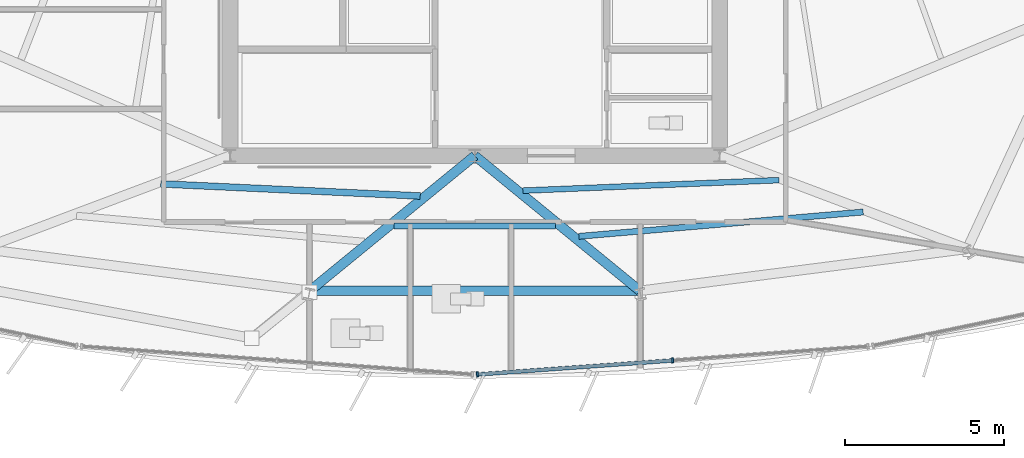
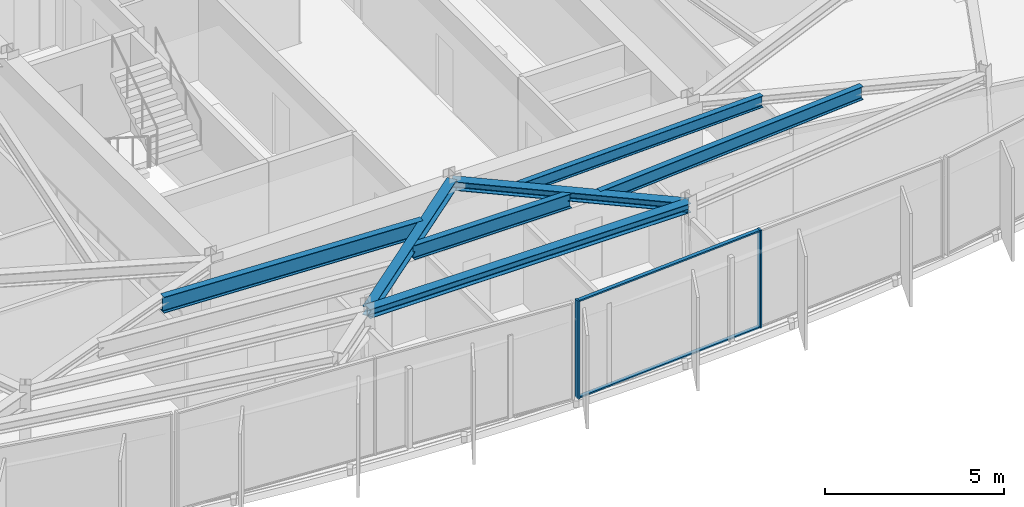
# One storey, part 3 of 12: 7 beams, 4 members, 1 element without a shape of its own.
"""IFC4 building model written with IfcOpenShell, lengths in metres."""

from ifc_helpers import new_model, si_unit, direction, frame, origin, origin_2d, place, context, subcontext, project, spatial, rectangle, i_section, extrude, material, material_profile, profile_set, type_object, element, aggregate, save


model = new_model("IFC4")

# Units and contexts
model_context = context("Model", 3, precision=1e-05, world=origin(), true_north=direction((0.0, 1.0)))
body_context = subcontext(model_context, "Body", "Model", "MODEL_VIEW")
ifc_project = project(units=[si_unit("LENGTHUNIT", "METRE"), si_unit("AREAUNIT", "SQUARE_METRE"), si_unit("VOLUMEUNIT", "CUBIC_METRE"), si_unit("PLANEANGLEUNIT", "RADIAN"), si_unit("MASSUNIT", "GRAM", prefix="KILO")], contexts=[model_context])

# Site, building, storey
site_placement = place(None, origin())
site = spatial("IfcSite", under=ifc_project, at=site_placement, CompositionType="ELEMENT")
building_placement = place(site_placement, origin())
building = spatial("IfcBuilding", under=site, at=building_placement, Name="Savorim Split Tower", CompositionType="ELEMENT")
storey_placement = place(building_placement, frame((0.0, 0.0, 268.800048828125)))
storey = spatial("IfcBuildingStorey", under=building, at=storey_placement, Name="L71", CompositionType="ELEMENT", Elevation=268.800048828125)

# Beams
ifc_material_1 = material(Name="Steel S355", Category="steel")
ifc_material_profile_1 = material_profile(ifc_material_1, i_section(OverallWidth=0.179931640625, OverallDepth=0.39990234375, WebThickness=0.008544921875, FlangeThickness=0.013427734375, FilletRadius=0.02099609375, at=origin_2d()), Name="IPE 400")
ifc_profile_set_1 = profile_set([ifc_material_profile_1], Name="Steel S355")
beam_type_1 = type_object("IfcBeamType", Name="BM-JST-IPE400", PredefinedType="JOIST", material=ifc_profile_set_1)
beam_1_placement = place(storey_placement, frame((1.509033203125, -10.498046875, 3.14990234375), z_axis=(0.999158911187, 0.041005733685, 0.0), x_axis=(-0.041005733685, 0.999158911187, 0.0)))
element("IfcBeam", 1, at=beam_1_placement, inside=storey, type_object=beam_type_1, Name="L71 Secondary Floor Joist JS-05", PredefinedType="JOIST", context=body_context, shape_type="SweptSolid", body=[
    extrude(i_section(OverallWidth=0.179931640625, OverallDepth=0.39990234375, WebThickness=0.008544921875, FlangeThickness=0.013427734375, FilletRadius=0.02099609375, at=origin_2d()), origin(), (0.0, 0.0, 1.0), 8.0615234375),
])
ifc_material_profile_2 = material_profile(ifc_material_1, i_section(OverallWidth=0.18994140625, OverallDepth=0.449951171875, WebThickness=0.009521484375, FlangeThickness=0.0146484375, FilletRadius=0.02099609375, at=origin_2d()), Name="IPE 450")
ifc_profile_set_2 = profile_set([ifc_material_profile_2], Name="Steel S355")
beam_type_2 = type_object("IfcBeamType", Name="BM-JST-IPE450", PredefinedType="JOIST", material=ifc_profile_set_2)
beam_2_placement = place(storey_placement, frame((3.27294921875, -11.935302734375, 3.125), z_axis=(0.996353394812, 0.085322404128, 0.0), x_axis=(-0.085322404128, 0.996353394812, 0.0)))
element("IfcBeam", 2, at=beam_2_placement, inside=storey, type_object=beam_type_2, Name="L71 Secondary Floor Joist JS-04", PredefinedType="JOIST", context=body_context, shape_type="SweptSolid", body=[
    extrude(i_section(OverallWidth=0.18994140625, OverallDepth=0.449951171875, WebThickness=0.009521484375, FlangeThickness=0.0146484375, FilletRadius=0.02099609375, at=origin_2d()), origin(), (0.0, 0.0, 1.0), 8.970458984375),
])
ifc_material_profile_3 = material_profile(ifc_material_1, i_section(OverallWidth=0.199951171875, OverallDepth=0.5, WebThickness=0.01025390625, FlangeThickness=0.01611328125, FilletRadius=0.02099609375, at=origin_2d()), Name="IPE 500")
ifc_profile_set_3 = profile_set([ifc_material_profile_3], Name="Steel S355")
beam_type_3 = type_object("IfcBeamType", Name="BM-JST-IPE500", PredefinedType="JOIST", material=ifc_profile_set_3)
beam_3_placement = place(storey_placement, frame((-2.538330078125, -11.609130859375, 3.099853515625), z_axis=(1.0, 0.0, 0.0), x_axis=(0.0, 1.0, 0.0)))
element("IfcBeam", 3, at=beam_3_placement, inside=storey, type_object=beam_type_3, Name="L71 Secondary Floor Joist JS-03", PredefinedType="JOIST", context=body_context, shape_type="SweptSolid", body=[
    extrude(i_section(OverallWidth=0.199951171875, OverallDepth=0.5, WebThickness=0.01025390625, FlangeThickness=0.01611328125, FilletRadius=0.02099609375, at=origin_2d()), origin(), (0.0, 0.0, 1.0), 5.07666015625),
])
ifc_material_profile_4 = material_profile(ifc_material_1, i_section(OverallWidth=0.2099609375, OverallDepth=0.550048828125, WebThickness=0.010986328125, FlangeThickness=0.01708984375, FilletRadius=0.02392578125, at=origin_2d()), Name="IPE 550")
ifc_profile_set_4 = profile_set([ifc_material_profile_4], Name="Steel S355")
beam_type_4 = type_object("IfcBeamType", Name="BM-JST-IPE550", PredefinedType="JOIST", material=ifc_profile_set_4)
beam_4_placement = place(storey_placement, frame((-9.875244140625, -10.285400390625, 3.074951171875), z_axis=(0.998908018614, -0.046720127868, 0.0), x_axis=(0.046720127868, 0.998908018614, 0.0)))
element("IfcBeam", 4, at=beam_4_placement, inside=storey, type_object=beam_type_4, Name="L71 Secondary Floor Joist JS-02", PredefinedType="JOIST", context=body_context, shape_type="SweptSolid", body=[
    extrude(i_section(OverallWidth=0.2099609375, OverallDepth=0.550048828125, WebThickness=0.010986328125, FlangeThickness=0.01708984375, FilletRadius=0.02392578125, at=origin_2d()), origin(), (0.0, 0.0, 1.0), 8.167724609375),
])
ifc_material_profile_5 = material_profile(ifc_material_1, i_section(OverallWidth=0.300048828125, OverallDepth=0.300048828125, WebThickness=0.010986328125, FlangeThickness=0.01904296875, FilletRadius=0.027099609375, at=origin_2d()), Name="HEB 300")
ifc_profile_set_5 = profile_set([ifc_material_profile_5], Name="Steel S355")
beam_type_5 = type_object("IfcBeamType", Name="BM-PRI-HEB300", PredefinedType="BEAM", material=ifc_profile_set_5)
for number, where, z_axis, x_axis, name in (
    (5, (-5.189208984375, -13.6484375, 3.199951171875), (0.773751273478, 0.633489515929, 0.0), (-0.633489515929, 0.773751273478, 0.0), "L71 Primary Floor Girder RG-02"),
    (6, (5.189208984375, -13.6484375, 3.199951171875), (-0.773751273478, 0.633489515929, 0.0), (-0.633489515929, -0.773751273478, 0.0), "L71 Primary Floor Girder RG-03"),
):
    element("IfcBeam", number, at=place(storey_placement, frame(where, z_axis=z_axis, x_axis=x_axis)), inside=storey, type_object=beam_type_5, Name=name, PredefinedType="BEAM", context=body_context, shape_type="SweptSolid", body=[
        extrude(i_section(OverallWidth=0.300048828125, OverallDepth=0.300048828125, WebThickness=0.010986328125, FlangeThickness=0.01904296875, FilletRadius=0.027099609375, at=origin_2d()), origin(), (0.0, 0.0, 1.0), 6.70654296875),
    ])
ifc_material_profile_6 = material_profile(ifc_material_1, i_section(OverallWidth=0.300048828125, OverallDepth=0.31005859375, WebThickness=0.009033203125, FlangeThickness=0.015380859375, FilletRadius=0.027099609375, at=origin_2d()), Name="HEA 320")
ifc_profile_set_6 = profile_set([ifc_material_profile_6], Name="Steel S355")
beam_type_6 = type_object("IfcBeamType", Name="BM-SPN-HEA320", PredefinedType="SPANDREL", material=ifc_profile_set_6)
beam_5_placement = place(storey_placement, frame((-5.189208984375, -13.6484375, 3.195068359375), z_axis=(1.0, 0.0, 0.0), x_axis=(0.0, 1.0, 0.0)))
element("IfcBeam", 7, at=beam_5_placement, inside=storey, type_object=beam_type_6, Name="L71 Perimeter Spandrel Beam 2", PredefinedType="SPANDREL", context=body_context, shape_type="SweptSolid", body=[
    extrude(i_section(OverallWidth=0.300048828125, OverallDepth=0.31005859375, WebThickness=0.009033203125, FlangeThickness=0.015380859375, FilletRadius=0.027099609375, at=origin_2d()), origin(), (0.0, 0.0, 1.0), 10.37841796875),
])

# Curtain wall, members
ifc_material_2 = material(Name="Dark Ceramic-Fritted Insulated Glass", Category="glass")
curtain_wall_type = type_object("IfcCurtainWallType", Name="CW-TWR-FRIT-B", PredefinedType="NOTDEFINED", material=ifc_material_2)
curtain_wall_placement = place(storey_placement, origin())
curtain_wall = element("IfcCurtainWall", 8, at=curtain_wall_placement, inside=storey, type_object=curtain_wall_type, Name="L71 Curtain Wall CW-L71-SF3", PredefinedType="NOTDEFINED")
ifc_material_3 = material(Name="Charcoal Anodised Aluminium", Category="aluminium")
ifc_material_profile_7 = material_profile(ifc_material_3, rectangle(XDim=0.159912109375, YDim=0.06005859375, at=origin_2d()), Name="ALU-M 160x60")
ifc_profile_set_7 = profile_set([ifc_material_profile_7], Name="Charcoal Anodised Aluminium")
member_type_1 = type_object("IfcMemberType", Name="CWM-160x60", PredefinedType="MULLION", material=ifc_profile_set_7)
member_1_placement = place(storey_placement, frame((0.081298828125, -16.277099609375, 0.0), z_axis=(0.0, 0.0, 1.0), x_axis=(-0.071562386711, 0.997436125678, 0.0)))
member_1 = element("IfcMember", 9, at=member_1_placement, type_object=member_type_1, Name="CW-03 mullion 1", PredefinedType="MULLION", context=body_context, shape_type="SweptSolid", body=[
    extrude(rectangle(XDim=0.159912109375, YDim=0.06005859375, at=origin_2d()), origin(), (0.0, 0.0, 1.0), 3.349853515625),
])
member_2_placement = place(storey_placement, frame((6.2216796875, -15.83642578125, 0.0), z_axis=(0.0, 0.0, 1.0), x_axis=(-0.071562386711, 0.997436125678, 0.0)))
member_2 = element("IfcMember", 10, at=member_2_placement, type_object=member_type_1, Name="CW-03 mullion 2", PredefinedType="MULLION", context=body_context, shape_type="SweptSolid", body=[
    extrude(rectangle(XDim=0.159912109375, YDim=0.06005859375, at=origin_2d()), origin(), (0.0, 0.0, 1.0), 3.349853515625),
])
ifc_material_profile_8 = material_profile(ifc_material_3, rectangle(XDim=0.1201171875, YDim=0.050048828125, at=origin_2d()), Name="ALU-T 120x50")
ifc_profile_set_8 = profile_set([ifc_material_profile_8], Name="Charcoal Anodised Aluminium")
member_type_2 = type_object("IfcMemberType", Name="CWT-120x50", PredefinedType="USERDEFINED", material=ifc_profile_set_8)
member_3_placement = place(storey_placement, frame((0.111083984375, -16.27490234375, 0.02490234375), z_axis=(0.997435880483, 0.071565804161, 0.0), x_axis=(-0.071565804161, 0.997435880483, 0.0)))
member_3 = element("IfcMember", 11, at=member_3_placement, type_object=member_type_2, Name="CW-03 transom 1.1", ObjectType="TRANSOM", PredefinedType="USERDEFINED", context=body_context, shape_type="SweptSolid", body=[
    extrude(rectangle(XDim=0.1201171875, YDim=0.050048828125, at=origin_2d()), origin(), (0.0, 0.0, 1.0), 6.09619140625),
])
member_4_placement = place(storey_placement, frame((0.111083984375, -16.27490234375, 3.324951171875), z_axis=(0.997435880483, 0.071565804161, 0.0), x_axis=(-0.071565804161, 0.997435880483, 0.0)))
member_4 = element("IfcMember", 12, at=member_4_placement, type_object=member_type_2, Name="CW-03 transom 1.2", ObjectType="TRANSOM", PredefinedType="USERDEFINED", context=body_context, shape_type="SweptSolid", body=[
    extrude(rectangle(XDim=0.1201171875, YDim=0.050048828125, at=origin_2d()), origin(), (0.0, 0.0, 1.0), 6.09619140625),
])
aggregate(curtain_wall, [member_1, member_2, member_3, member_4])

save(model, "model.ifc")
